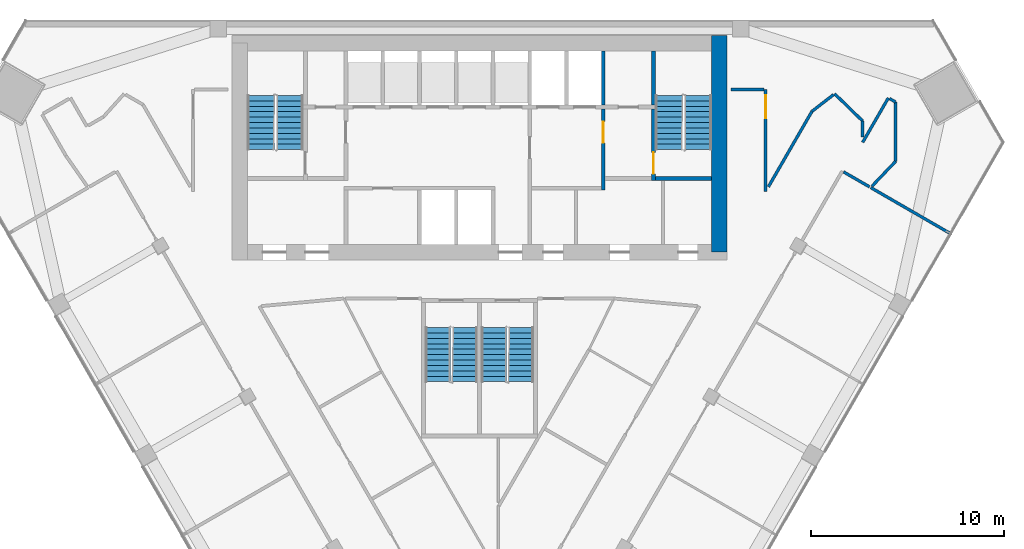
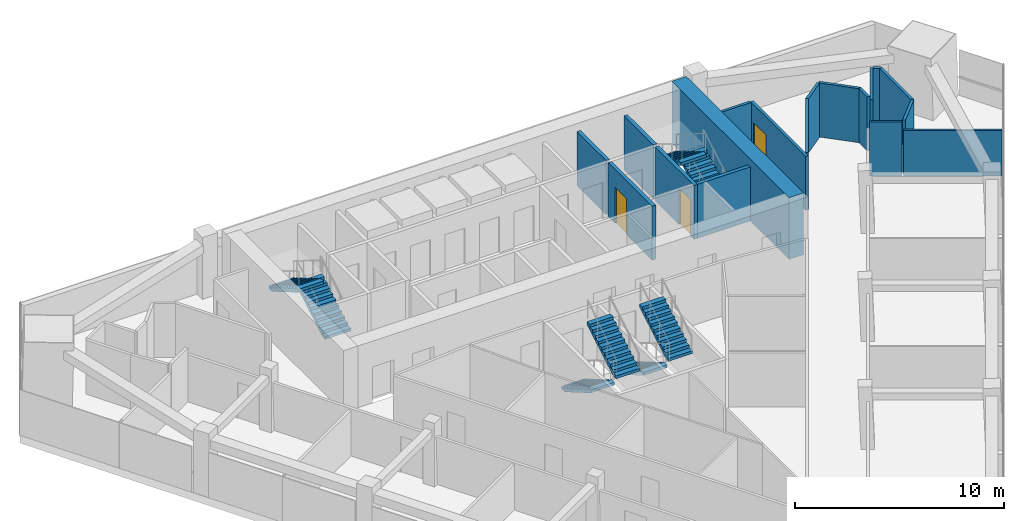
# One storey, part 11 of 13: 18 walls, 8 stair flights, 3 doors, 3 openings, 4 elements without a shape of their own.
"""IFC4 building model written with IfcOpenShell, lengths in metres."""

import ifcopenshell
import ifcopenshell.guid

model = None  # the IFC model being written
_history = None  # IfcOwnerHistory: only IFC2X3 demands one
_inside = {}  # id of a spatial element -> (the spatial element, [elements in it])
_under = {}  # id of a project, library or spatial element -> (it, [spatial elements below it])
_declared = {}  # id of a project -> (the project, [libraries it declares])
_typed = {}  # id of a type object -> (the type object, [elements of that type])
_made_of = {}  # id of a material, layer set ... -> (it, [elements and type objects made of it])


def new_model(schema):
    """Start an empty IFC model of exactly this schema.

    Asked for "IFC4X3", IfcOpenShell would pick the latest addendum, in which some entities
    have other attributes; the version numbers below select the first issue.
    IFC2X3 requires an IfcOwnerHistory on every rooted entity: one is made here for all.
    """
    global model, _history
    if schema == "IFC4X3":
        model = ifcopenshell.file(schema_version=(4, 3, 0, 0))
    else:
        model = ifcopenshell.file(schema=schema)
    _inside.clear()
    _under.clear()
    _declared.clear()
    _typed.clear()
    _made_of.clear()
    _history = None
    if model.schema == "IFC2X3":
        org = make("IfcOrganization", Name="unknown")
        user = make(
            "IfcPersonAndOrganization",
            ThePerson=make("IfcPerson", FamilyName="unknown"),
            TheOrganization=org,
        )
        app = make(
            "IfcApplication",
            ApplicationDeveloper=org,
            Version="unknown",
            ApplicationFullName="unknown",
            ApplicationIdentifier="unknown",
        )
        _history = make(
            "IfcOwnerHistory",
            OwningUser=user,
            OwningApplication=app,
            ChangeAction="ADDED",
            CreationDate=0,
        )
    return model


def make(cls, **values):
    """One entity of the class cls with the attributes given. An attribute that is None is left unset."""
    return model.create_entity(
        cls, **{name: value for name, value in values.items() if value is not None}
    )


def rooted(cls, **values):
    """An entity with a GlobalId (a new one), such as an element, a storey or a relation."""
    return make(cls, GlobalId=ifcopenshell.guid.new(), OwnerHistory=_history, **values)


def si_unit(unit_type, name, prefix=None):
    """IfcSIUnit, for example si_unit("LENGTHUNIT", "METRE", prefix="MILLI")."""
    return make("IfcSIUnit", UnitType=unit_type, Prefix=prefix, Name=name)


def assignment(units):
    """IfcUnitAssignment: the units of a project."""
    return None if units is None else make("IfcUnitAssignment", Units=units)


def point(xyz):
    """IfcCartesianPoint."""
    return None if xyz is None else make("IfcCartesianPoint", Coordinates=xyz)


def direction(xyz):
    """IfcDirection."""
    return None if xyz is None else make("IfcDirection", DirectionRatios=xyz)


def frame(location, z_axis=None, x_axis=None):
    """IfcAxis2Placement3D, a coordinate frame: its origin and axes. An axis left out is left unset."""
    return make(
        "IfcAxis2Placement3D",
        Location=point(location),
        Axis=direction(z_axis),
        RefDirection=direction(x_axis),
    )


def frame_2d(location, x_axis=None):
    """IfcAxis2Placement2D, a coordinate frame in the plane: its origin and x axis."""
    return make(
        "IfcAxis2Placement2D", Location=point(location), RefDirection=direction(x_axis)
    )


def origin():
    """The frame at (0, 0, 0) with its axes left unset."""
    return frame((0.0, 0.0, 0.0))


def place(relative_to, where):
    """IfcLocalPlacement: puts the frame where relative to a parent placement (None: the world)."""
    return make(
        "IfcLocalPlacement", PlacementRelTo=relative_to, RelativePlacement=where
    )


def context(
    kind, dimensions, precision=None, world=None, true_north=None, identifier=None
):
    """IfcGeometricRepresentationContext, for example the 3D "Model" context."""
    return make(
        "IfcGeometricRepresentationContext",
        ContextIdentifier=identifier,
        ContextType=kind,
        CoordinateSpaceDimension=dimensions,
        Precision=precision,
        WorldCoordinateSystem=world,
        TrueNorth=true_north,
    )


def subcontext(parent, identifier, kind, view, scale=None):
    """IfcGeometricRepresentationSubContext, for example "Body" below "Model"."""
    return make(
        "IfcGeometricRepresentationSubContext",
        ContextIdentifier=identifier,
        ContextType=kind,
        ParentContext=parent,
        TargetScale=scale,
        TargetView=view,
    )


def project(units=None, contexts=None):
    """IfcProject with its units and contexts."""
    return rooted(
        "IfcProject",
        Name="project",
        RepresentationContexts=contexts,
        UnitsInContext=assignment(units),
    )


def spatial(cls, under=None, at=None, **own):
    """A site, building, storey or space (cls), placed at a placement, below another one or the project."""
    s = rooted(cls, ObjectPlacement=at, **own)
    if under is not None:
        _under.setdefault(under.id(), (under, []))[1].append(s)
    return s


def polyline(points):
    """IfcPolyline through the points."""
    return make("IfcPolyline", Points=[point(p) for p in points])


def profile(cls, at=None, kind="AREA", **sizes):
    """A parametric profile (cls). Its sizes go by their IFC names, for example OverallWidth=200.0."""
    return make(cls, ProfileType=kind, Position=at, **sizes)


def rectangle(**sizes):
    """IfcRectangleProfileDef."""
    return profile("IfcRectangleProfileDef", **sizes)


def outline(outer, holes=None, kind="AREA"):
    """IfcArbitraryClosedProfileDef: a profile drawn as a closed curve; with holes, ...WithVoids."""
    if holes is None:
        return make("IfcArbitraryClosedProfileDef", ProfileType=kind, OuterCurve=outer)
    return make(
        "IfcArbitraryProfileDefWithVoids",
        ProfileType=kind,
        OuterCurve=outer,
        InnerCurves=holes,
    )


def extrude(swept, where, along, depth):
    """IfcExtrudedAreaSolid: the profile swept, set in the frame where, extruded along a direction by depth."""
    return make(
        "IfcExtrudedAreaSolid",
        SweptArea=swept,
        Position=where,
        ExtrudedDirection=direction(along),
        Depth=depth,
    )


def shape(context_of_items, identifier, shape_type, items):
    """IfcShapeRepresentation: the items that make up one representation, for example the "Body"."""
    return make(
        "IfcShapeRepresentation",
        ContextOfItems=context_of_items,
        RepresentationIdentifier=identifier,
        RepresentationType=shape_type,
        Items=items,
    )


def material(Name=None, Category=None):
    """IfcMaterial."""
    return make("IfcMaterial", Name=Name, Category=Category)


def layer(
    of_material, thickness, ventilated=None, Name=None, Category=None, Priority=None
):
    """IfcMaterialLayer: one layer of a wall or slab, of a material (None: an air gap)."""
    return make(
        "IfcMaterialLayer",
        Material=of_material,
        LayerThickness=thickness,
        IsVentilated=ventilated,
        Name=Name,
        Category=Category,
        Priority=Priority,
    )


def layer_set(layers, Name=None):
    """IfcMaterialLayerSet."""
    return make("IfcMaterialLayerSet", MaterialLayers=layers, LayerSetName=Name)


def made_of(thing, what):
    """Note that an element or type object is made of a material, layer set ...; save() writes the relation."""
    if what is not None:
        _made_of.setdefault(what.id(), (what, []))[1].append(thing)
    return thing


def type_object(cls, material=None, **own):
    """A type object (cls), such as IfcWallType, which elements share."""
    return made_of(rooted(cls, **own), material)


def element(
    cls,
    number,
    at=None,
    inside=None,
    cuts=None,
    type_object=None,
    material=None,
    context=None,
    identifier="Body",
    shape_type=None,
    held_by="IfcProductDefinitionShape",
    body=None,
    shapes=None,
    **own,
):
    """One element of the class cls, such as IfcWall. Its Tag is "e" and its number.

    at: its placement. inside: the storey or other place that contains it. cuts: it is an
    opening in that element (IfcRelVoidsElement). A single representation is given by context,
    identifier, shape_type and body (its items); several are given by shapes. held_by: the class
    of the entity that holds the representations. save() writes the other relations.
    """
    e = rooted(cls, Tag="e%d" % number, ObjectPlacement=at, **own)
    if body is not None:
        shapes = [shape(context, identifier, shape_type, body)]
    if shapes is not None:
        e.Representation = make(held_by, Representations=shapes)
    if inside is not None:
        _inside.setdefault(inside.id(), (inside, []))[1].append(e)
    if cuts is not None:
        rooted(
            "IfcRelVoidsElement", RelatingBuildingElement=cuts, RelatedOpeningElement=e
        )
    if type_object is not None:
        _typed.setdefault(type_object.id(), (type_object, []))[1].append(e)
    return made_of(e, material)


def fill(opening, filler):
    """IfcRelFillsElement: the door or window that sits in an opening."""
    return rooted(
        "IfcRelFillsElement",
        RelatingOpeningElement=opening,
        RelatedBuildingElement=filler,
    )


def aggregate(whole, parts):
    """IfcRelAggregates: a whole, such as a stair, and the parts it consists of."""
    return rooted("IfcRelAggregates", RelatingObject=whole, RelatedObjects=parts)


def save(model, path):
    """Write the relations noted so far, then the file.

    IfcRelAggregates (storeys below a building ...), IfcRelContainedInSpatialStructure (elements
    in a storey), IfcRelDefinesByType, IfcRelAssociatesMaterial and IfcRelDeclares: one each for
    every whole, place, type object, material and project.
    """
    for whole, parts in _under.values():
        aggregate(whole, parts)
    for where, things in _inside.values():
        rooted(
            "IfcRelContainedInSpatialStructure",
            RelatedElements=things,
            RelatingStructure=where,
        )
    for kind, things in _typed.values():
        rooted("IfcRelDefinesByType", RelatedObjects=things, RelatingType=kind)
    for what, things in _made_of.values():
        rooted("IfcRelAssociatesMaterial", RelatedObjects=things, RelatingMaterial=what)
    for by, libraries in _declared.values():
        rooted("IfcRelDeclares", RelatingContext=by, RelatedDefinitions=libraries)
    model.write(path)


model = new_model("IFC4")

# Units and contexts
model_context = context("Model", 3, precision=1e-05, world=origin(), true_north=direction((0.0, 1.0)))
body_context = subcontext(model_context, "Body", "Model", "MODEL_VIEW")
ifc_project = project(units=[si_unit("LENGTHUNIT", "METRE"), si_unit("AREAUNIT", "SQUARE_METRE"), si_unit("VOLUMEUNIT", "CUBIC_METRE"), si_unit("PLANEANGLEUNIT", "RADIAN"), si_unit("MASSUNIT", "GRAM", prefix="KILO")], contexts=[model_context])

# Site, building, storey
site_placement = place(None, origin())
site = spatial("IfcSite", under=ifc_project, at=site_placement, CompositionType="ELEMENT")
building_placement = place(site_placement, origin())
building = spatial("IfcBuilding", under=site, at=building_placement, Name="Altiplano Prism Tower", CompositionType="ELEMENT")
storey_placement = place(building_placement, frame((0.0, 0.0, 153.0)))
storey = spatial("IfcBuildingStorey", under=building, at=storey_placement, Name="L39", CompositionType="ELEMENT", Elevation=153.0)

# Walls
ifc_material_1 = material(Name="Concrete C60/75", Category="concrete")
ifc_layer_1 = layer(ifc_material_1, 0.800048828125)
ifc_layer_set_1 = layer_set([ifc_layer_1], Name="Concrete C60/75")
wall_type_1 = type_object("IfcWallType", Name="Core wall 800", PredefinedType="SHEAR", material=ifc_layer_set_1)
wall_1_placement = place(storey_placement, frame((97.39990234375, 93.0, 0.0), z_axis=(0.0, 0.0, 1.0), x_axis=(0.0, 1.0, 0.0)))
element("IfcWall", 1, at=wall_1_placement, inside=storey, type_object=wall_type_1, Name="Core wall E L39", PredefinedType="SHEAR", context=body_context, shape_type="SweptSolid", body=[
    extrude(rectangle(XDim=11.199951171875, YDim=0.800048828125, at=frame_2d((5.60009765625, 0.0))), origin(), (0.0, 0.0, 1.0), 3.60009765625),
])
ifc_material_2 = material(Name="Plasterboard on steel stud", Category="steel")
ifc_layer_2 = layer(ifc_material_2, 0.14990234375)
ifc_layer_set_2 = layer_set([ifc_layer_2], Name="Plasterboard on steel stud")
wall_type_2 = type_object("IfcWallType", Name="Partition 150 corridor", PredefinedType="PARTITIONING", material=ifc_layer_set_2)
wall_2_placement = place(storey_placement, frame((103.82275390625, 97.150146484375, 0.0), z_axis=(0.0, 0.0, 1.0), x_axis=(0.865978619952, -0.50008102322, 0.0)))
element("IfcWall", 2, at=wall_2_placement, inside=storey, type_object=wall_type_2, Name="Partition P06 L39 008", PredefinedType="PARTITIONING", context=body_context, shape_type="SweptSolid", body=[
    extrude(rectangle(XDim=1.552001953125, YDim=0.14990234375, at=frame_2d((0.77587890625, 0.0))), origin(), (0.0, 0.0, 1.0), 3.14990234375),
])
wall_3_placement = place(storey_placement, frame((105.29541015625, 96.406494140625, 0.0), z_axis=(0.0, 0.0, 1.0), x_axis=(0.688394353321, 0.725336621381, 0.0)))
element("IfcWall", 3, at=wall_3_placement, inside=storey, type_object=wall_type_2, Name="Partition P06 L39 009", PredefinedType="PARTITIONING", context=body_context, shape_type="SweptSolid", body=[
    extrude(rectangle(XDim=1.771240234375, YDim=0.14990234375, at=frame_2d((0.8857421875, 0.0))), origin(), (0.0, 0.0, 1.0), 3.14990234375),
])
wall_4_placement = place(storey_placement, frame((106.5146484375, 97.691162109375, 0.0), z_axis=(0.0, 0.0, 1.0), x_axis=(0.0, 1.0, 0.0)))
element("IfcWall", 4, at=wall_4_placement, inside=storey, type_object=wall_type_2, Name="Partition P06 L39 010", PredefinedType="PARTITIONING", context=body_context, shape_type="SweptSolid", body=[
    extrude(rectangle(XDim=3.066162109375, YDim=0.14990234375, at=frame_2d((1.533203125, 0.0))), origin(), (0.0, 0.0, 1.0), 3.14990234375),
])
wall_5_placement = place(storey_placement, frame((106.5146484375, 100.75732421875, 0.0), z_axis=(0.0, 0.0, 1.0), x_axis=(-0.865990848561, 0.500059846627, 0.0)))
element("IfcWall", 5, at=wall_5_placement, inside=storey, type_object=wall_type_2, Name="Partition P06 L39 011", PredefinedType="PARTITIONING", context=body_context, shape_type="SweptSolid", body=[
    extrude(rectangle(XDim=0.35498046875, YDim=0.14990234375, at=frame_2d((0.177490234375, 0.0))), origin(), (0.0, 0.0, 1.0), 3.14990234375),
])
wall_6_placement = place(storey_placement, frame((106.142333984375, 100.97216796875, 0.0), z_axis=(0.0, 0.0, 1.0), x_axis=(-0.500035527442, -0.866004891035, 0.0)))
element("IfcWall", 6, at=wall_6_placement, inside=storey, type_object=wall_type_2, Name="Partition P06 L39 012", PredefinedType="PARTITIONING", context=body_context, shape_type="SweptSolid", body=[
    extrude(rectangle(XDim=2.655029296875, YDim=0.14990234375, at=frame_2d((1.32763671875, 0.0))), origin(), (0.0, 0.0, 1.0), 3.14990234375),
])
wall_7_placement = place(storey_placement, frame((104.814697265625, 98.95263671875, 0.0), z_axis=(0.0, 0.0, 1.0), x_axis=(0.0, 1.0, 0.0)))
element("IfcWall", 7, at=wall_7_placement, inside=storey, type_object=wall_type_2, Name="Partition P06 L39 013", PredefinedType="PARTITIONING", context=body_context, shape_type="SweptSolid", body=[
    extrude(rectangle(XDim=0.822998046875, YDim=0.14990234375, at=frame_2d((0.41162109375, 0.0))), origin(), (0.0, 0.0, 1.0), 3.14990234375),
])
wall_8_placement = place(storey_placement, frame((104.814697265625, 99.775634765625, 0.0), z_axis=(0.0, 0.0, 1.0), x_axis=(-0.717237990995, 0.696828288945, 0.0)))
element("IfcWall", 8, at=wall_8_placement, inside=storey, type_object=wall_type_2, Name="Partition P06 L39 014", PredefinedType="PARTITIONING", context=body_context, shape_type="SweptSolid", body=[
    extrude(rectangle(XDim=2.021484375, YDim=0.14990234375, at=frame_2d((1.0107421875, 0.0))), origin(), (0.0, 0.0, 1.0), 3.14990234375),
])
wall_9_placement = place(storey_placement, frame((103.305908203125, 101.138671875, 0.0), z_axis=(0.0, 0.0, 1.0), x_axis=(-0.79033958515, -0.612669029856, 0.0)))
element("IfcWall", 9, at=wall_9_placement, inside=storey, type_object=wall_type_2, Name="Partition P06 L39 015", PredefinedType="PARTITIONING", context=body_context, shape_type="SweptSolid", body=[
    extrude(rectangle(XDim=1.409912109375, YDim=0.14990234375, at=frame_2d((0.705078125, 0.0))), origin(), (0.0, 0.0, 1.0), 3.14990234375),
])
wall_10_placement = place(storey_placement, frame((102.191650390625, 100.27490234375, 0.0), z_axis=(0.0, 0.0, 1.0), x_axis=(-0.500016540626, -0.866015853839, 0.0)))
element("IfcWall", 10, at=wall_10_placement, inside=storey, type_object=wall_type_2, Name="Partition P06 L39 016", PredefinedType="PARTITIONING", context=body_context, shape_type="SweptSolid", body=[
    extrude(rectangle(XDim=4.503173828125, YDim=0.14990234375, at=frame_2d((2.25146484375, 0.0))), origin(), (0.0, 0.0, 1.0), 3.14990234375),
])

# Wall, opening, door
wall_11_placement = place(storey_placement, frame((99.800048828125, 96.132568359375, 0.0), z_axis=(0.0, 0.0, 1.0), x_axis=(0.0, 1.0, 0.0)))
wall_11 = element("IfcWall", 11, at=wall_11_placement, inside=storey, type_object=wall_type_2, Name="Partition P06 L39 017", PredefinedType="PARTITIONING", context=body_context, shape_type="SweptSolid", body=[
    extrude(rectangle(XDim=5.267333984375, YDim=0.14990234375, at=frame_2d((2.6337890625, 0.0))), origin(), (0.0, 0.0, 1.0), 3.14990234375),
])
opening_1_placement = place(wall_11_placement, frame((3.77490234375, 0.0, 0.0)))
opening_1 = element("IfcOpeningElement", 12, at=opening_1_placement, cuts=wall_11, Name="Opening D1430", PredefinedType="OPENING", context=body_context, shape_type="SweptSolid", body=[
    extrude(rectangle(XDim=1.199951171875, YDim=2.10009765625, at=frame_2d((0.60009765625, 1.050048828125))), frame((0.0, 0.08544921875, 0.0), z_axis=(0.0, -1.0, 0.0), x_axis=(1.0, 0.0, 0.0)), (0.0, 0.0, 1.0), 0.1708984375),
])
ifc_material_3 = material(Name="Timber", Category="wood")
door_type_1 = type_object("IfcDoorType", Name="Shared room door 1200 x 2100", OperationType="NOTDEFINED", PredefinedType="NOTDEFINED", material=ifc_material_3)
door_1_placement = place(opening_1_placement, origin())
door_1 = element("IfcDoor", 13, at=door_1_placement, inside=storey, type_object=door_type_1, Name="Door D1430", OperationType="SINGLE_SWING_RIGHT", OverallHeight=2.10009765625, OverallWidth=1.199951171875, PredefinedType="NOTDEFINED", context=body_context, shape_type="SweptSolid", body=[
    extrude(rectangle(XDim=1.199951171875, YDim=2.10009765625, at=frame_2d((0.60009765625, 1.050048828125))), frame((0.0, 0.02490234375, 0.0), z_axis=(0.0, -1.0, 0.0), x_axis=(1.0, 0.0, 0.0)), (0.0, 0.0, 1.0), 0.050048828125),
])
fill(opening_1, door_1)

# Walls
wall_12_placement = place(storey_placement, frame((99.72509765625, 101.39990234375, 0.0), z_axis=(0.0, 0.0, 1.0), x_axis=(-1.0, 0.0, 0.0)))
element("IfcWall", 14, at=wall_12_placement, inside=storey, type_object=wall_type_2, Name="Partition P06 L39 018", PredefinedType="PARTITIONING", context=body_context, shape_type="SweptSolid", body=[
    extrude(rectangle(XDim=1.72509765625, YDim=0.14990234375, at=frame_2d((0.862548828125, 0.0))), origin(), (0.0, 0.0, 1.0), 3.14990234375),
])
ifc_layer_3 = layer(ifc_material_2, 0.14990234375)
ifc_layer_set_3 = layer_set([ifc_layer_3], Name="Plasterboard on steel stud")
wall_type_3 = type_object("IfcWallType", Name="Partition 150 party", PredefinedType="PARTITIONING", material=ifc_layer_set_3)
wall_13_placement = place(storey_placement, frame((109.30029296875, 93.987548828125, 0.0), z_axis=(0.0, 0.0, 1.0), x_axis=(-0.866016039709, 0.500016218704, 0.0)))
element("IfcWall", 15, at=wall_13_placement, inside=storey, type_object=wall_type_3, Name="Partition P01 L39 050", PredefinedType="PARTITIONING", context=body_context, shape_type="SweptSolid", body=[
    extrude(rectangle(XDim=4.699951171875, YDim=0.14990234375, at=frame_2d((2.35009765625, 0.0))), origin(), (0.0, 0.0, 1.0), 2.64990234375),
])
ifc_layer_4 = layer(ifc_material_1, 0.199951171875)
ifc_layer_set_4 = layer_set([ifc_layer_4], Name="Concrete C60/75")
wall_type_4 = type_object("IfcWallType", Name="Shaft wall 200", PredefinedType="SOLIDWALL", material=ifc_layer_set_4)
wall_14_placement = place(storey_placement, frame((91.39990234375, 100.60009765625, 0.0), z_axis=(0.0, 0.0, 1.0), x_axis=(0.0, 1.0, 0.0)))
element("IfcWall", 16, at=wall_14_placement, inside=storey, type_object=wall_type_4, Name="Shaft wall L39", PredefinedType="SOLIDWALL", context=body_context, shape_type="SweptSolid", body=[
    extrude(rectangle(XDim=2.7998046875, YDim=0.199951171875, at=frame_2d((1.39990234375, 0.0))), origin(), (0.0, 0.0, 1.0), 3.14990234375),
])

# Wall, opening, door
ifc_layer_5 = layer(ifc_material_1, 0.199951171875)
ifc_layer_set_5 = layer_set([ifc_layer_5], Name="Concrete C60/75")
wall_type_5 = type_object("IfcWallType", Name="Stair wall 200", PredefinedType="SOLIDWALL", material=ifc_layer_set_5)
wall_15_placement = place(storey_placement, frame((94.0, 96.699951171875, 0.0), z_axis=(0.0, 0.0, 1.0), x_axis=(0.0, 1.0, 0.0)))
wall_15 = element("IfcWall", 17, at=wall_15_placement, inside=storey, type_object=wall_type_5, Name="Stair wall L39", PredefinedType="SOLIDWALL", context=body_context, shape_type="SweptSolid", body=[
    extrude(rectangle(XDim=3.699951171875, YDim=0.199951171875, at=frame_2d((1.85009765625, 0.0))), origin(), (0.0, 0.0, 1.0), 3.14990234375),
])
opening_2_placement = place(wall_15_placement, frame((0.35009765625, 0.0, 0.0)))
opening_2 = element("IfcOpeningElement", 18, at=opening_2_placement, cuts=wall_15, Name="Opening D3113", PredefinedType="OPENING", context=body_context, shape_type="SweptSolid", body=[
    extrude(rectangle(XDim=1.10009765625, YDim=2.10009765625, at=frame_2d((0.550048828125, 1.050048828125))), frame((0.0, 0.1103515625, 0.0), z_axis=(0.0, -1.0, 0.0), x_axis=(1.0, 0.0, 0.0)), (0.0, 0.0, 1.0), 0.220947265625),
])
ifc_material_4 = material(Name="Fire-rated steel door", Category="steel")
door_type_2 = type_object("IfcDoorType", Name="Stair fire door 1100 x 2100", OperationType="NOTDEFINED", PredefinedType="NOTDEFINED", material=ifc_material_4)
door_2_placement = place(opening_2_placement, origin())
door_2 = element("IfcDoor", 19, at=door_2_placement, inside=storey, type_object=door_type_2, Name="Stair fire door D3113", OperationType="SINGLE_SWING_LEFT", OverallHeight=2.10009765625, OverallWidth=1.10009765625, PredefinedType="NOTDEFINED", context=body_context, shape_type="SweptSolid", body=[
    extrude(rectangle(XDim=1.10009765625, YDim=2.10009765625, at=frame_2d((0.550048828125, 1.050048828125))), frame((0.0, 0.02490234375, 0.0), z_axis=(0.0, -1.0, 0.0), x_axis=(1.0, 0.0, 0.0)), (0.0, 0.0, 1.0), 0.050048828125),
])
fill(opening_2, door_2)

# Walls
wall_16_placement = place(storey_placement, frame((94.10009765625, 96.800048828125, 0.0), z_axis=(0.0, 0.0, 1.0), x_axis=(1.0, 0.0, 0.0)))
element("IfcWall", 20, at=wall_16_placement, inside=storey, type_object=wall_type_5, Name="Stair wall L39", PredefinedType="SOLIDWALL", context=body_context, shape_type="SweptSolid", body=[
    extrude(rectangle(XDim=2.89990234375, YDim=0.199951171875, at=frame_2d((1.449951171875, 0.0))), origin(), (0.0, 0.0, 1.0), 3.14990234375),
])
wall_17_placement = place(storey_placement, frame((94.0, 100.60009765625, 0.0), z_axis=(0.0, 0.0, 1.0), x_axis=(0.0, 1.0, 0.0)))
element("IfcWall", 21, at=wall_17_placement, inside=storey, type_object=wall_type_5, Name="Stair wall L39", PredefinedType="SOLIDWALL", context=body_context, shape_type="SweptSolid", body=[
    extrude(rectangle(XDim=2.7998046875, YDim=0.199951171875, at=frame_2d((1.39990234375, 0.0))), origin(), (0.0, 0.0, 1.0), 3.14990234375),
])

# Wall, opening, door
ifc_layer_6 = layer(ifc_material_1, 0.199951171875)
ifc_layer_set_6 = layer_set([ifc_layer_6], Name="Concrete C60/75")
wall_type_6 = type_object("IfcWallType", Name="Vestibule wall 200", PredefinedType="PARTITIONING", material=ifc_layer_set_6)
wall_18_placement = place(storey_placement, frame((91.39990234375, 96.199951171875, 0.0), z_axis=(0.0, 0.0, 1.0), x_axis=(0.0, 1.0, 0.0)))
wall_18 = element("IfcWall", 22, at=wall_18_placement, inside=storey, type_object=wall_type_6, Name="Vestibule wall L39", PredefinedType="PARTITIONING", context=body_context, shape_type="SweptSolid", body=[
    extrude(rectangle(XDim=4.199951171875, YDim=0.199951171875, at=frame_2d((2.10009765625, 0.0))), origin(), (0.0, 0.0, 1.0), 3.14990234375),
])
opening_3_placement = place(wall_18_placement, frame((2.449951171875, 0.0, 0.0)))
opening_3 = element("IfcOpeningElement", 23, at=opening_3_placement, cuts=wall_18, Name="Opening D3116", PredefinedType="OPENING", context=body_context, shape_type="SweptSolid", body=[
    extrude(rectangle(XDim=1.10009765625, YDim=2.10009765625, at=frame_2d((0.550048828125, 1.050048828125))), frame((0.0, 0.1103515625, 0.0), z_axis=(0.0, -1.0, 0.0), x_axis=(1.0, 0.0, 0.0)), (0.0, 0.0, 1.0), 0.220947265625),
])
door_type_3 = type_object("IfcDoorType", Name="Vestibule fire door 1100 x 2100", OperationType="NOTDEFINED", PredefinedType="NOTDEFINED", material=ifc_material_4)
door_3_placement = place(opening_3_placement, origin())
door_3 = element("IfcDoor", 24, at=door_3_placement, inside=storey, type_object=door_type_3, Name="Vestibule fire door D3116", OperationType="SINGLE_SWING_LEFT", OverallHeight=2.10009765625, OverallWidth=1.10009765625, PredefinedType="NOTDEFINED", context=body_context, shape_type="SweptSolid", body=[
    extrude(rectangle(XDim=1.10009765625, YDim=2.10009765625, at=frame_2d((0.550048828125, 1.050048828125))), frame((0.0, 0.02490234375, 0.0), z_axis=(0.0, -1.0, 0.0), x_axis=(1.0, 0.0, 0.0)), (0.0, 0.0, 1.0), 0.050048828125),
])
fill(opening_3, door_3)

# Stair, stair flights
ifc_material_5 = material(Name="Concrete C40/50", Category="concrete")
stair_type_1 = type_object("IfcStairType", Name="Exit stair 1400", PredefinedType="HALF_TURN_STAIR", material=ifc_material_5)
stair_1_placement = place(storey_placement, origin())
stair_1 = element("IfcStair", 25, at=stair_1_placement, inside=storey, type_object=stair_type_1, Name="L39 Exit Stair 1", PredefinedType="HALF_TURN_STAIR")
stair_flight_type = type_object("IfcStairFlightType", Name="Stair flight concrete 150", PredefinedType="STRAIGHT", material=ifc_material_5)
stair_flight_1_placement = place(storey_placement, frame((75.199951171875, 98.300048828125, 0.0), z_axis=(0.0, 0.0, 1.0), x_axis=(0.0, 1.0, 0.0)))
stair_flight_1 = element("IfcStairFlight", 26, at=stair_flight_1_placement, type_object=stair_flight_type, Name="ST1 flight 1", NumberOfRisers=11, NumberOfTreads=10, PredefinedType="STRAIGHT", RiserHeight=0.163636364, TreadLength=0.28, context=body_context, shape_type="SweptSolid", body=[
    extrude(outline(polyline([(0.0, 0.0), (0.0, 0.16357421875), (0.280029296875, 0.16357421875), (0.280029296875, 0.327392578125), (0.56005859375, 0.327392578125), (0.56005859375, 0.490966796875), (0.840087890625, 0.490966796875), (0.840087890625, 0.654541015625), (1.1201171875, 0.654541015625), (1.1201171875, 0.818115234375), (1.39990234375, 0.818115234375), (1.39990234375, 0.98193359375), (1.679931640625, 0.98193359375), (1.679931640625, 1.1455078125), (1.9599609375, 1.1455078125), (1.9599609375, 1.30908203125), (2.239990234375, 1.30908203125), (2.239990234375, 1.47265625), (2.52001953125, 1.47265625), (2.52001953125, 1.636474609375), (2.800048828125, 1.636474609375), (2.800048828125, 1.800048828125), (2.800048828125, 1.462646484375), (0.297119140625, 0.0), (0.0, 0.0)])), frame((0.0, 0.699951171875, 0.0), z_axis=(0.0, -1.0, 0.0), x_axis=(1.0, 0.0, 0.0)), (0.0, 0.0, 1.0), 1.39990234375),
])
stair_flight_2_placement = place(storey_placement, frame((73.699951171875, 101.10009765625, 1.800048828125), z_axis=(0.0, 0.0, 1.0), x_axis=(0.0, -1.0, 0.0)))
stair_flight_2 = element("IfcStairFlight", 27, at=stair_flight_2_placement, type_object=stair_flight_type, Name="ST1 flight 2", NumberOfRisers=11, NumberOfTreads=10, PredefinedType="STRAIGHT", RiserHeight=0.163636364, TreadLength=0.28, context=body_context, shape_type="SweptSolid", body=[
    extrude(outline(polyline([(0.0, 0.0), (0.0, 0.16357421875), (0.280029296875, 0.16357421875), (0.280029296875, 0.327392578125), (0.56005859375, 0.327392578125), (0.56005859375, 0.490966796875), (0.840087890625, 0.490966796875), (0.840087890625, 0.654541015625), (1.1201171875, 0.654541015625), (1.1201171875, 0.818115234375), (1.39990234375, 0.818115234375), (1.39990234375, 0.98193359375), (1.679931640625, 0.98193359375), (1.679931640625, 1.1455078125), (1.9599609375, 1.1455078125), (1.9599609375, 1.30908203125), (2.239990234375, 1.30908203125), (2.239990234375, 1.47265625), (2.52001953125, 1.47265625), (2.52001953125, 1.636474609375), (2.800048828125, 1.636474609375), (2.800048828125, 1.800048828125), (2.800048828125, 1.462646484375), (0.297119140625, 0.0), (0.0, 0.0)])), frame((0.0, 0.699951171875, 0.0), z_axis=(0.0, -1.0, 0.0), x_axis=(1.0, 0.0, 0.0)), (0.0, 0.0, 1.0), 1.39990234375),
])
aggregate(stair_1, [stair_flight_1, stair_flight_2])

stair_2_placement = place(storey_placement, origin())
stair_2 = element("IfcStair", 28, at=stair_2_placement, inside=storey, type_object=stair_type_1, Name="L39 Exit Stair 2", PredefinedType="HALF_TURN_STAIR")
stair_flight_3_placement = place(storey_placement, frame((96.300048828125, 98.300048828125, 0.0), z_axis=(0.0, 0.0, 1.0), x_axis=(0.0, 1.0, 0.0)))
stair_flight_3 = element("IfcStairFlight", 29, at=stair_flight_3_placement, type_object=stair_flight_type, Name="ST2 flight 1", NumberOfRisers=11, NumberOfTreads=10, PredefinedType="STRAIGHT", RiserHeight=0.163636364, TreadLength=0.28, context=body_context, shape_type="SweptSolid", body=[
    extrude(outline(polyline([(0.0, 0.0), (0.0, 0.16357421875), (0.280029296875, 0.16357421875), (0.280029296875, 0.327392578125), (0.56005859375, 0.327392578125), (0.56005859375, 0.490966796875), (0.840087890625, 0.490966796875), (0.840087890625, 0.654541015625), (1.1201171875, 0.654541015625), (1.1201171875, 0.818115234375), (1.39990234375, 0.818115234375), (1.39990234375, 0.98193359375), (1.679931640625, 0.98193359375), (1.679931640625, 1.1455078125), (1.9599609375, 1.1455078125), (1.9599609375, 1.30908203125), (2.239990234375, 1.30908203125), (2.239990234375, 1.47265625), (2.52001953125, 1.47265625), (2.52001953125, 1.636474609375), (2.800048828125, 1.636474609375), (2.800048828125, 1.800048828125), (2.800048828125, 1.462646484375), (0.297119140625, 0.0), (0.0, 0.0)])), frame((0.0, 0.699951171875, 0.0), z_axis=(0.0, -1.0, 0.0), x_axis=(1.0, 0.0, 0.0)), (0.0, 0.0, 1.0), 1.39990234375),
])
stair_flight_4_placement = place(storey_placement, frame((94.800048828125, 101.10009765625, 1.800048828125), z_axis=(0.0, 0.0, 1.0), x_axis=(0.0, -1.0, 0.0)))
stair_flight_4 = element("IfcStairFlight", 30, at=stair_flight_4_placement, type_object=stair_flight_type, Name="ST2 flight 2", NumberOfRisers=11, NumberOfTreads=10, PredefinedType="STRAIGHT", RiserHeight=0.163636364, TreadLength=0.28, context=body_context, shape_type="SweptSolid", body=[
    extrude(outline(polyline([(0.0, 0.0), (0.0, 0.16357421875), (0.280029296875, 0.16357421875), (0.280029296875, 0.327392578125), (0.56005859375, 0.327392578125), (0.56005859375, 0.490966796875), (0.840087890625, 0.490966796875), (0.840087890625, 0.654541015625), (1.1201171875, 0.654541015625), (1.1201171875, 0.818115234375), (1.39990234375, 0.818115234375), (1.39990234375, 0.98193359375), (1.679931640625, 0.98193359375), (1.679931640625, 1.1455078125), (1.9599609375, 1.1455078125), (1.9599609375, 1.30908203125), (2.239990234375, 1.30908203125), (2.239990234375, 1.47265625), (2.52001953125, 1.47265625), (2.52001953125, 1.636474609375), (2.800048828125, 1.636474609375), (2.800048828125, 1.800048828125), (2.800048828125, 1.462646484375), (0.297119140625, 0.0), (0.0, 0.0)])), frame((0.0, 0.699951171875, 0.0), z_axis=(0.0, -1.0, 0.0), x_axis=(1.0, 0.0, 0.0)), (0.0, 0.0, 1.0), 1.39990234375),
])
aggregate(stair_2, [stair_flight_3, stair_flight_4])

stair_type_2 = type_object("IfcStairType", Name="Exit stair 1300", PredefinedType="HALF_TURN_STAIR", material=ifc_material_5)
stair_3_placement = place(storey_placement, origin())
stair_3 = element("IfcStair", 31, at=stair_3_placement, inside=storey, type_object=stair_type_2, Name="L39 Exit Stair 3A", PredefinedType="HALF_TURN_STAIR")
stair_flight_5_placement = place(storey_placement, frame((82.85009765625, 89.10009765625, 0.0), z_axis=(0.0, 0.0, 1.0), x_axis=(0.0, -1.0, 0.0)))
stair_flight_5 = element("IfcStairFlight", 32, at=stair_flight_5_placement, type_object=stair_flight_type, Name="ST3A flight 1", NumberOfRisers=11, NumberOfTreads=10, PredefinedType="STRAIGHT", RiserHeight=0.163636364, TreadLength=0.28, context=body_context, shape_type="SweptSolid", body=[
    extrude(outline(polyline([(0.0, 0.0), (0.0, 0.16357421875), (0.280029296875, 0.16357421875), (0.280029296875, 0.327392578125), (0.56005859375, 0.327392578125), (0.56005859375, 0.490966796875), (0.840087890625, 0.490966796875), (0.840087890625, 0.654541015625), (1.1201171875, 0.654541015625), (1.1201171875, 0.818115234375), (1.39990234375, 0.818115234375), (1.39990234375, 0.98193359375), (1.679931640625, 0.98193359375), (1.679931640625, 1.1455078125), (1.9599609375, 1.1455078125), (1.9599609375, 1.30908203125), (2.239990234375, 1.30908203125), (2.239990234375, 1.47265625), (2.52001953125, 1.47265625), (2.52001953125, 1.636474609375), (2.800048828125, 1.636474609375), (2.800048828125, 1.800048828125), (2.800048828125, 1.462646484375), (0.297119140625, 0.0), (0.0, 0.0)])), frame((0.0, 0.64990234375, 0.0), z_axis=(0.0, -1.0, 0.0), x_axis=(1.0, 0.0, 0.0)), (0.0, 0.0, 1.0), 1.300048828125),
])
stair_flight_6_placement = place(storey_placement, frame((84.25, 86.300048828125, 1.800048828125), z_axis=(0.0, 0.0, 1.0), x_axis=(0.0, 1.0, 0.0)))
stair_flight_6 = element("IfcStairFlight", 33, at=stair_flight_6_placement, type_object=stair_flight_type, Name="ST3A flight 2", NumberOfRisers=11, NumberOfTreads=10, PredefinedType="STRAIGHT", RiserHeight=0.163636364, TreadLength=0.28, context=body_context, shape_type="SweptSolid", body=[
    extrude(outline(polyline([(0.0, 0.0), (0.0, 0.16357421875), (0.280029296875, 0.16357421875), (0.280029296875, 0.327392578125), (0.56005859375, 0.327392578125), (0.56005859375, 0.490966796875), (0.840087890625, 0.490966796875), (0.840087890625, 0.654541015625), (1.1201171875, 0.654541015625), (1.1201171875, 0.818115234375), (1.39990234375, 0.818115234375), (1.39990234375, 0.98193359375), (1.679931640625, 0.98193359375), (1.679931640625, 1.1455078125), (1.9599609375, 1.1455078125), (1.9599609375, 1.30908203125), (2.239990234375, 1.30908203125), (2.239990234375, 1.47265625), (2.52001953125, 1.47265625), (2.52001953125, 1.636474609375), (2.800048828125, 1.636474609375), (2.800048828125, 1.800048828125), (2.800048828125, 1.462646484375), (0.297119140625, 0.0), (0.0, 0.0)])), frame((0.0, 0.64990234375, 0.0), z_axis=(0.0, -1.0, 0.0), x_axis=(1.0, 0.0, 0.0)), (0.0, 0.0, 1.0), 1.300048828125),
])
aggregate(stair_3, [stair_flight_5, stair_flight_6])

stair_4_placement = place(storey_placement, origin())
stair_4 = element("IfcStair", 34, at=stair_4_placement, inside=storey, type_object=stair_type_2, Name="L39 Exit Stair 3B", PredefinedType="HALF_TURN_STAIR")
stair_flight_7_placement = place(storey_placement, frame((85.75, 89.10009765625, 0.0), z_axis=(0.0, 0.0, 1.0), x_axis=(0.0, -1.0, 0.0)))
stair_flight_7 = element("IfcStairFlight", 35, at=stair_flight_7_placement, type_object=stair_flight_type, Name="ST3B flight 1", NumberOfRisers=11, NumberOfTreads=10, PredefinedType="STRAIGHT", RiserHeight=0.163636364, TreadLength=0.28, context=body_context, shape_type="SweptSolid", body=[
    extrude(outline(polyline([(0.0, 0.0), (0.0, 0.16357421875), (0.280029296875, 0.16357421875), (0.280029296875, 0.327392578125), (0.56005859375, 0.327392578125), (0.56005859375, 0.490966796875), (0.840087890625, 0.490966796875), (0.840087890625, 0.654541015625), (1.1201171875, 0.654541015625), (1.1201171875, 0.818115234375), (1.39990234375, 0.818115234375), (1.39990234375, 0.98193359375), (1.679931640625, 0.98193359375), (1.679931640625, 1.1455078125), (1.9599609375, 1.1455078125), (1.9599609375, 1.30908203125), (2.239990234375, 1.30908203125), (2.239990234375, 1.47265625), (2.52001953125, 1.47265625), (2.52001953125, 1.636474609375), (2.800048828125, 1.636474609375), (2.800048828125, 1.800048828125), (2.800048828125, 1.462646484375), (0.297119140625, 0.0), (0.0, 0.0)])), frame((0.0, 0.64990234375, 0.0), z_axis=(0.0, -1.0, 0.0), x_axis=(1.0, 0.0, 0.0)), (0.0, 0.0, 1.0), 1.300048828125),
])
stair_flight_8_placement = place(storey_placement, frame((87.14990234375, 86.300048828125, 1.800048828125), z_axis=(0.0, 0.0, 1.0), x_axis=(0.0, 1.0, 0.0)))
stair_flight_8 = element("IfcStairFlight", 36, at=stair_flight_8_placement, type_object=stair_flight_type, Name="ST3B flight 2", NumberOfRisers=11, NumberOfTreads=10, PredefinedType="STRAIGHT", RiserHeight=0.163636364, TreadLength=0.28, context=body_context, shape_type="SweptSolid", body=[
    extrude(outline(polyline([(0.0, 0.0), (0.0, 0.16357421875), (0.280029296875, 0.16357421875), (0.280029296875, 0.327392578125), (0.56005859375, 0.327392578125), (0.56005859375, 0.490966796875), (0.840087890625, 0.490966796875), (0.840087890625, 0.654541015625), (1.1201171875, 0.654541015625), (1.1201171875, 0.818115234375), (1.39990234375, 0.818115234375), (1.39990234375, 0.98193359375), (1.679931640625, 0.98193359375), (1.679931640625, 1.1455078125), (1.9599609375, 1.1455078125), (1.9599609375, 1.30908203125), (2.239990234375, 1.30908203125), (2.239990234375, 1.47265625), (2.52001953125, 1.47265625), (2.52001953125, 1.636474609375), (2.800048828125, 1.636474609375), (2.800048828125, 1.800048828125), (2.800048828125, 1.462646484375), (0.297119140625, 0.0), (0.0, 0.0)])), frame((0.0, 0.64990234375, 0.0), z_axis=(0.0, -1.0, 0.0), x_axis=(1.0, 0.0, 0.0)), (0.0, 0.0, 1.0), 1.300048828125),
])
aggregate(stair_4, [stair_flight_7, stair_flight_8])

save(model, "model.ifc")
